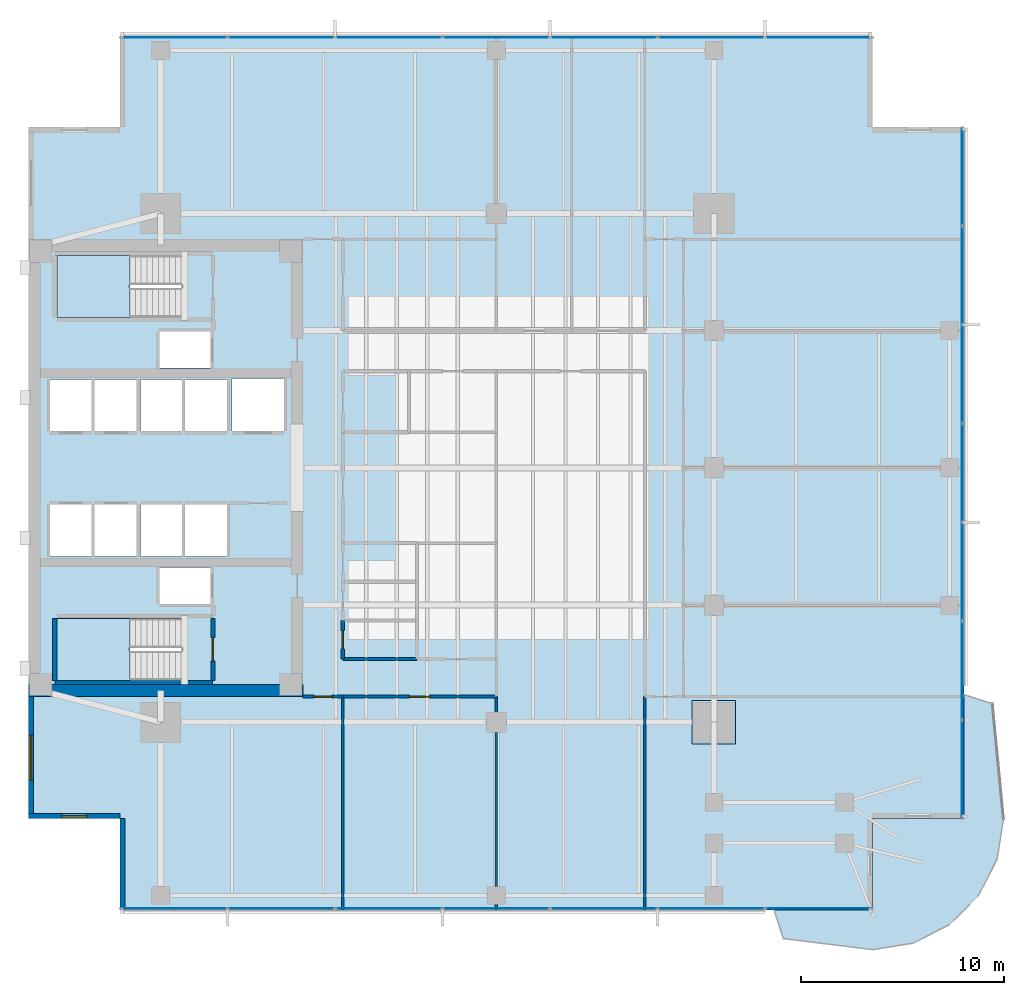
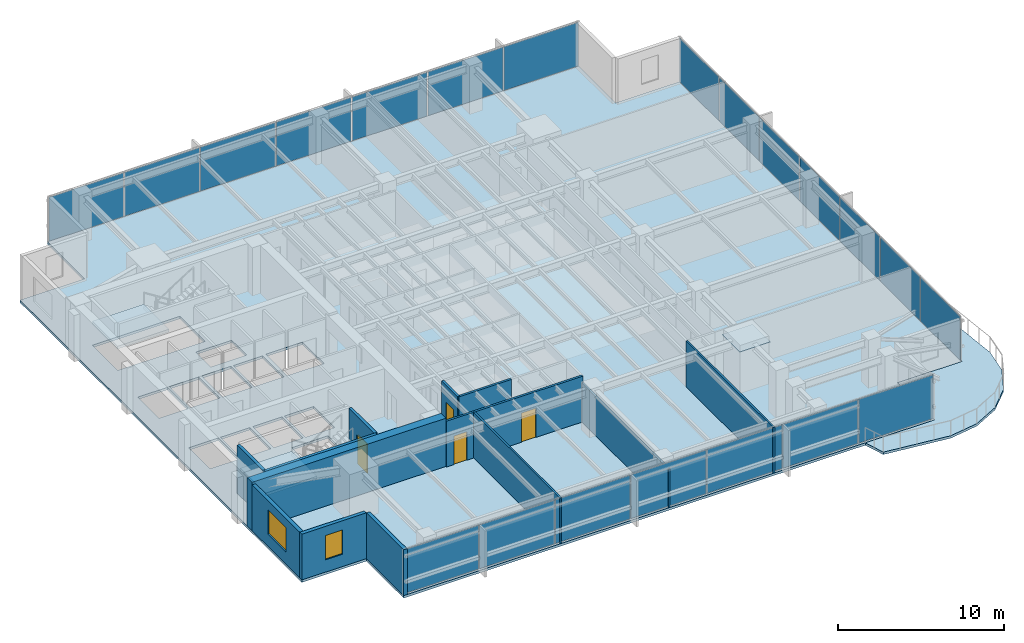
# One storey, part 7 of 14: 22 plates, 14 walls, 4 doors, 4 slabs, 2 windows, 6 openings, 5 elements without a shape of their own.
"""IFC4 building model written with IfcOpenShell, lengths in metres."""

from ifc_helpers import new_model, si_unit, direction, frame, frame_2d, origin, origin_2d, place, context, subcontext, project, spatial, polyline, rectangle, outline, extrude, material, layer, layer_set, type_object, element, fill, aggregate, save


model = new_model("IFC4")

# Units and contexts
model_context = context("Model", 3, precision=1e-05, world=origin(), true_north=direction((0.0, 1.0)))
body_context = subcontext(model_context, "Body", "Model", "MODEL_VIEW")
ifc_project = project(units=[si_unit("LENGTHUNIT", "METRE"), si_unit("AREAUNIT", "SQUARE_METRE"), si_unit("VOLUMEUNIT", "CUBIC_METRE"), si_unit("PLANEANGLEUNIT", "RADIAN"), si_unit("MASSUNIT", "GRAM", prefix="KILO")], contexts=[model_context])

# Site, building, storey
site_placement = place(None, origin())
site = spatial("IfcSite", under=ifc_project, at=site_placement, CompositionType="ELEMENT")
building_placement = place(site_placement, origin())
building = spatial("IfcBuilding", under=site, at=building_placement, Name="Kinhvarn Gate Tower", CompositionType="ELEMENT")
storey_placement = place(building_placement, frame((0.0, 0.0, 151.949951171875)))
storey = spatial("IfcBuildingStorey", under=building, at=storey_placement, Name="L40", CompositionType="ELEMENT", Elevation=151.949951171875)

# Curtain wall, plates
ifc_material_1 = material(Name="Anodised aluminium AW-6063", Category="aluminium")
ifc_layer_1 = layer(ifc_material_1, 0.179931640625)
ifc_layer_set_1 = layer_set([ifc_layer_1], Name="Anodised aluminium AW-6063")
curtain_wall_type = type_object("IfcCurtainWallType", Name="CW-SYS-3", PredefinedType="NOTDEFINED", material=ifc_layer_set_1)
curtain_wall_1_placement = place(storey_placement, origin())
curtain_wall_1 = element("IfcCurtainWall", 1, at=curtain_wall_1_placement, inside=storey, type_object=curtain_wall_type, Name="Curtain Wall CW3 (L40)", PredefinedType="NOTDEFINED")
ifc_material_2 = material(Name="Clear low-e double glazing", Category="glass")
ifc_layer_2 = layer(ifc_material_2, 0.031982421875)
ifc_layer_set_2 = layer_set([ifc_layer_2], Name="Clear low-e double glazing")
plate_type_1 = type_object("IfcPlateType", Name="CW-PNL-VIS", PredefinedType="CURTAIN_PANEL", material=ifc_layer_set_2)
plate_1_placement = place(storey_placement, frame((11.6591796875, 3.590087890625, 0.070068359375), z_axis=(0.0, 0.0, 1.0), x_axis=(1.0, 0.0, 0.0)))
plate_1 = element("IfcPlate", 2, at=plate_1_placement, type_object=plate_type_1, Name="CW3 panel 1.1", PredefinedType="CURTAIN_PANEL", context=body_context, shape_type="SweptSolid", body=[
    extrude(rectangle(XDim=5.188232421875, YDim=0.031982421875, at=origin_2d()), origin(), (0.0, 0.0, 1.0), 3.22998046875),
])
plate_2_placement = place(storey_placement, frame((16.928466796875, 3.590087890625, 0.070068359375), z_axis=(0.0, 0.0, 1.0), x_axis=(1.0, 0.0, 0.0)))
plate_2 = element("IfcPlate", 3, at=plate_2_placement, type_object=plate_type_1, Name="CW3 panel 2.1", PredefinedType="CURTAIN_PANEL", context=body_context, shape_type="SweptSolid", body=[
    extrude(rectangle(XDim=5.220703125, YDim=0.031982421875, at=origin_2d()), origin(), (0.0, 0.0, 1.0), 3.22998046875),
])
plate_3_placement = place(storey_placement, frame((22.21435546875, 3.590087890625, 0.070068359375), z_axis=(0.0, 0.0, 1.0), x_axis=(1.0, 0.0, 0.0)))
plate_3 = element("IfcPlate", 4, at=plate_3_placement, type_object=plate_type_1, Name="CW3 panel 3.1", PredefinedType="CURTAIN_PANEL", context=body_context, shape_type="SweptSolid", body=[
    extrude(rectangle(XDim=5.220703125, YDim=0.031982421875, at=origin_2d()), origin(), (0.0, 0.0, 1.0), 3.22998046875),
])
plate_4_placement = place(storey_placement, frame((27.5, 3.590087890625, 0.070068359375), z_axis=(0.0, 0.0, 1.0), x_axis=(1.0, 0.0, 0.0)))
plate_4 = element("IfcPlate", 5, at=plate_4_placement, type_object=plate_type_1, Name="CW3 panel 4.1", PredefinedType="CURTAIN_PANEL", context=body_context, shape_type="SweptSolid", body=[
    extrude(rectangle(XDim=5.220703125, YDim=0.031982421875, at=origin_2d()), origin(), (0.0, 0.0, 1.0), 3.22998046875),
])
plate_5_placement = place(storey_placement, frame((32.78564453125, 3.590087890625, 0.070068359375), z_axis=(0.0, 0.0, 1.0), x_axis=(1.0, 0.0, 0.0)))
plate_5 = element("IfcPlate", 6, at=plate_5_placement, type_object=plate_type_1, Name="CW3 panel 5.1", PredefinedType="CURTAIN_PANEL", context=body_context, shape_type="SweptSolid", body=[
    extrude(rectangle(XDim=5.220703125, YDim=0.031982421875, at=origin_2d()), origin(), (0.0, 0.0, 1.0), 3.22998046875),
])
plate_6_placement = place(storey_placement, frame((38.071533203125, 3.590087890625, 0.070068359375), z_axis=(0.0, 0.0, 1.0), x_axis=(1.0, 0.0, 0.0)))
plate_6 = element("IfcPlate", 7, at=plate_6_placement, type_object=plate_type_1, Name="CW3 panel 6.1", PredefinedType="CURTAIN_PANEL", context=body_context, shape_type="SweptSolid", body=[
    extrude(rectangle(XDim=5.220703125, YDim=0.031982421875, at=origin_2d()), origin(), (0.0, 0.0, 1.0), 3.22998046875),
])
plate_7_placement = place(storey_placement, frame((43.3408203125, 3.590087890625, 0.070068359375), z_axis=(0.0, 0.0, 1.0), x_axis=(1.0, 0.0, 0.0)))
plate_7 = element("IfcPlate", 8, at=plate_7_placement, type_object=plate_type_1, Name="CW3 panel 7.1", PredefinedType="CURTAIN_PANEL", context=body_context, shape_type="SweptSolid", body=[
    extrude(rectangle(XDim=5.188232421875, YDim=0.031982421875, at=origin_2d()), origin(), (0.0, 0.0, 1.0), 3.22998046875),
])
aggregate(curtain_wall_1, [plate_1, plate_2, plate_3, plate_4, plate_5, plate_6, plate_7])

curtain_wall_2_placement = place(storey_placement, origin())
curtain_wall_2 = element("IfcCurtainWall", 9, at=curtain_wall_2_placement, inside=storey, type_object=curtain_wall_type, Name="Curtain Wall CW3 (L40)", PredefinedType="NOTDEFINED")
plate_8_placement = place(storey_placement, frame((43.3408203125, 46.409912109375, 0.070068359375), z_axis=(0.0, 0.0, 1.0), x_axis=(-1.0, 0.0, 0.0)))
plate_8 = element("IfcPlate", 10, at=plate_8_placement, type_object=plate_type_1, Name="CW3 panel 1.1", PredefinedType="CURTAIN_PANEL", context=body_context, shape_type="SweptSolid", body=[
    extrude(rectangle(XDim=5.188232421875, YDim=0.031982421875, at=origin_2d()), origin(), (0.0, 0.0, 1.0), 3.22998046875),
])
plate_9_placement = place(storey_placement, frame((38.071533203125, 46.409912109375, 0.070068359375), z_axis=(0.0, 0.0, 1.0), x_axis=(-1.0, 0.0, 0.0)))
plate_9 = element("IfcPlate", 11, at=plate_9_placement, type_object=plate_type_1, Name="CW3 panel 2.1", PredefinedType="CURTAIN_PANEL", context=body_context, shape_type="SweptSolid", body=[
    extrude(rectangle(XDim=5.220703125, YDim=0.031982421875, at=origin_2d()), origin(), (0.0, 0.0, 1.0), 3.22998046875),
])
plate_10_placement = place(storey_placement, frame((32.78564453125, 46.409912109375, 0.070068359375), z_axis=(0.0, 0.0, 1.0), x_axis=(-1.0, 0.0, 0.0)))
plate_10 = element("IfcPlate", 12, at=plate_10_placement, type_object=plate_type_1, Name="CW3 panel 3.1", PredefinedType="CURTAIN_PANEL", context=body_context, shape_type="SweptSolid", body=[
    extrude(rectangle(XDim=5.220703125, YDim=0.031982421875, at=origin_2d()), origin(), (0.0, 0.0, 1.0), 3.22998046875),
])
plate_11_placement = place(storey_placement, frame((27.5, 46.409912109375, 0.070068359375), z_axis=(0.0, 0.0, 1.0), x_axis=(-1.0, 0.0, 0.0)))
plate_11 = element("IfcPlate", 13, at=plate_11_placement, type_object=plate_type_1, Name="CW3 panel 4.1", PredefinedType="CURTAIN_PANEL", context=body_context, shape_type="SweptSolid", body=[
    extrude(rectangle(XDim=5.220703125, YDim=0.031982421875, at=origin_2d()), origin(), (0.0, 0.0, 1.0), 3.22998046875),
])
plate_12_placement = place(storey_placement, frame((22.21435546875, 46.409912109375, 0.070068359375), z_axis=(0.0, 0.0, 1.0), x_axis=(-1.0, 0.0, 0.0)))
plate_12 = element("IfcPlate", 14, at=plate_12_placement, type_object=plate_type_1, Name="CW3 panel 5.1", PredefinedType="CURTAIN_PANEL", context=body_context, shape_type="SweptSolid", body=[
    extrude(rectangle(XDim=5.220703125, YDim=0.031982421875, at=origin_2d()), origin(), (0.0, 0.0, 1.0), 3.22998046875),
])
plate_13_placement = place(storey_placement, frame((16.928466796875, 46.409912109375, 0.070068359375), z_axis=(0.0, 0.0, 1.0), x_axis=(-1.0, 0.0, 0.0)))
plate_13 = element("IfcPlate", 15, at=plate_13_placement, type_object=plate_type_1, Name="CW3 panel 6.1", PredefinedType="CURTAIN_PANEL", context=body_context, shape_type="SweptSolid", body=[
    extrude(rectangle(XDim=5.220703125, YDim=0.031982421875, at=origin_2d()), origin(), (0.0, 0.0, 1.0), 3.22998046875),
])
plate_14_placement = place(storey_placement, frame((11.6591796875, 46.409912109375, 0.070068359375), z_axis=(0.0, 0.0, 1.0), x_axis=(-1.0, 0.0, 0.0)))
plate_14 = element("IfcPlate", 16, at=plate_14_placement, type_object=plate_type_1, Name="CW3 panel 7.1", PredefinedType="CURTAIN_PANEL", context=body_context, shape_type="SweptSolid", body=[
    extrude(rectangle(XDim=5.188232421875, YDim=0.031982421875, at=origin_2d()), origin(), (0.0, 0.0, 1.0), 3.22998046875),
])
aggregate(curtain_wall_2, [plate_8, plate_9, plate_10, plate_11, plate_12, plate_13, plate_14])

curtain_wall_3_placement = place(storey_placement, origin())
curtain_wall_3 = element("IfcCurtainWall", 17, at=curtain_wall_3_placement, inside=storey, type_object=curtain_wall_type, Name="Curtain Wall CW3 (L40)", PredefinedType="NOTDEFINED")
plate_15_placement = place(storey_placement, frame((50.409912109375, 10.44482421875, 0.070068359375), z_axis=(0.0, 0.0, 1.0), x_axis=(0.0, 1.0, 0.0)))
plate_15 = element("IfcPlate", 18, at=plate_15_placement, type_object=plate_type_1, Name="CW3 panel 1.1", PredefinedType="CURTAIN_PANEL", context=body_context, shape_type="SweptSolid", body=[
    extrude(rectangle(XDim=4.759521484375, YDim=0.031982421875, at=origin_2d()), origin(), (0.0, 0.0, 1.0), 3.22998046875),
])
plate_16_placement = place(storey_placement, frame((50.409912109375, 15.28564453125, 0.070068359375), z_axis=(0.0, 0.0, 1.0), x_axis=(0.0, 1.0, 0.0)))
plate_16 = element("IfcPlate", 19, at=plate_16_placement, type_object=plate_type_1, Name="CW3 panel 2.1", PredefinedType="CURTAIN_PANEL", context=body_context, shape_type="SweptSolid", body=[
    extrude(rectangle(XDim=4.792236328125, YDim=0.031982421875, at=origin_2d()), origin(), (0.0, 0.0, 1.0), 3.22998046875),
])
plate_17_placement = place(storey_placement, frame((50.409912109375, 20.142822265625, 0.070068359375), z_axis=(0.0, 0.0, 1.0), x_axis=(0.0, 1.0, 0.0)))
plate_17 = element("IfcPlate", 20, at=plate_17_placement, type_object=plate_type_1, Name="CW3 panel 3.1", PredefinedType="CURTAIN_PANEL", context=body_context, shape_type="SweptSolid", body=[
    extrude(rectangle(XDim=4.792236328125, YDim=0.031982421875, at=origin_2d()), origin(), (0.0, 0.0, 1.0), 3.22998046875),
])
plate_18_placement = place(storey_placement, frame((50.409912109375, 25.0, 0.070068359375), z_axis=(0.0, 0.0, 1.0), x_axis=(0.0, 1.0, 0.0)))
plate_18 = element("IfcPlate", 21, at=plate_18_placement, type_object=plate_type_1, Name="CW3 panel 4.1", PredefinedType="CURTAIN_PANEL", context=body_context, shape_type="SweptSolid", body=[
    extrude(rectangle(XDim=4.792236328125, YDim=0.031982421875, at=origin_2d()), origin(), (0.0, 0.0, 1.0), 3.22998046875),
])
plate_19_placement = place(storey_placement, frame((50.409912109375, 29.857177734375, 0.070068359375), z_axis=(0.0, 0.0, 1.0), x_axis=(0.0, 1.0, 0.0)))
plate_19 = element("IfcPlate", 22, at=plate_19_placement, type_object=plate_type_1, Name="CW3 panel 5.1", PredefinedType="CURTAIN_PANEL", context=body_context, shape_type="SweptSolid", body=[
    extrude(rectangle(XDim=4.792236328125, YDim=0.031982421875, at=origin_2d()), origin(), (0.0, 0.0, 1.0), 3.22998046875),
])
plate_20_placement = place(storey_placement, frame((50.409912109375, 34.71435546875, 0.070068359375), z_axis=(0.0, 0.0, 1.0), x_axis=(0.0, 1.0, 0.0)))
plate_20 = element("IfcPlate", 23, at=plate_20_placement, type_object=plate_type_1, Name="CW3 panel 6.1", PredefinedType="CURTAIN_PANEL", context=body_context, shape_type="SweptSolid", body=[
    extrude(rectangle(XDim=4.792236328125, YDim=0.031982421875, at=origin_2d()), origin(), (0.0, 0.0, 1.0), 3.22998046875),
])
plate_21_placement = place(storey_placement, frame((50.409912109375, 39.55517578125, 0.070068359375), z_axis=(0.0, 0.0, 1.0), x_axis=(0.0, 1.0, 0.0)))
plate_21 = element("IfcPlate", 24, at=plate_21_placement, type_object=plate_type_1, Name="CW3 panel 7.1", PredefinedType="CURTAIN_PANEL", context=body_context, shape_type="SweptSolid", body=[
    extrude(rectangle(XDim=4.759521484375, YDim=0.031982421875, at=origin_2d()), origin(), (0.0, 0.0, 1.0), 3.22998046875),
])
aggregate(curtain_wall_3, [plate_15, plate_16, plate_17, plate_18, plate_19, plate_20, plate_21])

# Plate
ifc_material_3 = material(Name="Steel S355", Category="steel")
ifc_layer_3 = layer(ifc_material_3, 0.031982421875)
ifc_layer_set_3 = layer_set([ifc_layer_3], Name="Steel S355")
plate_type_2 = type_object("IfcPlateType", Name="PLT-NODE-KN3", PredefinedType="USERDEFINED", material=ifc_layer_set_3)
plate_22_placement = place(storey_placement, frame((0.0, 0.0, 3.10400390625)))
element("IfcPlate", 25, at=plate_22_placement, inside=storey, type_object=plate_type_2, Name="Structural Node Cap Plate KN3", ObjectType="GUSSET_PLATE", PredefinedType="USERDEFINED", context=body_context, shape_type="SweptSolid", body=[
    extrude(outline(polyline([(37.1298828125, 11.679931640625), (39.27001953125, 11.679931640625), (39.27001953125, 13.820068359375), (37.1298828125, 13.820068359375), (37.1298828125, 11.679931640625)])), origin(), (0.0, 0.0, 1.0), 0.031982421875),
])

# Slabs
ifc_material_4 = material(Name="Precast white architectural concrete C40/50", Category="concrete")
ifc_layer_4 = layer(ifc_material_4, 0.179931640625)
ifc_layer_set_4 = layer_set([ifc_layer_4], Name="Precast white architectural concrete C40/50")
slab_type_1 = type_object("IfcSlabType", Name="SLB-BAL-180", PredefinedType="FLOOR", material=ifc_layer_set_4)
slab_1_placement = place(storey_placement, frame((0.0, 0.0, -0.179931640625)))
element("IfcSlab", 26, at=slab_1_placement, inside=storey, type_object=slab_type_1, Name="S-Carve Curved Terrace Balcony Slab L40 (SE)", PredefinedType="FLOOR", context=body_context, shape_type="SweptSolid", body=[
    extrude(outline(polyline([(41.158935546875, 3.5), (41.60888671875, 2.10546875), (46.0, 1.56298828125), (47.989013671875, 1.8779296875), (49.78369140625, 2.79248046875), (51.20751953125, 4.21630859375), (52.1220703125, 6.010986328125), (52.43701171875, 8.0), (51.89453125, 13.64892578125), (50.5, 14.09912109375), (50.5, 8.0), (46.0, 8.0), (46.0, 3.5), (41.158935546875, 3.5)])), origin(), (0.0, 0.0, 1.0), 0.179931640625),
])
ifc_material_5 = material(Name="Concrete C40/50", Category="concrete")
ifc_layer_5 = layer(ifc_material_5, 0.179931640625)
ifc_layer_set_5 = layer_set([ifc_layer_5], Name="Concrete C40/50")
slab_type_2 = type_object("IfcSlabType", Name="SLB-FLR-180", PredefinedType="FLOOR", material=ifc_layer_set_5)
slab_2_placement = place(storey_placement, frame((0.0, 0.0, -0.179931640625)))
element("IfcSlab", 27, at=slab_2_placement, inside=storey, type_object=slab_type_2, Name="Suspended Floor Slab L40", PredefinedType="FLOOR", context=body_context, shape_type="SweptSolid", body=[
    extrude(outline(polyline([(9.0, 3.5), (46.0, 3.5), (46.0, 8.0), (50.5, 8.0), (50.5, 42.0), (46.0, 42.0), (46.0, 46.5), (9.0, 46.5), (9.0, 42.0), (4.5, 42.0), (4.5, 8.0), (9.0, 8.0), (9.0, 3.5)]), holes=[polyline([(5.89990234375, 14.800048828125), (12.0, 14.800048828125), (12.0, 17.85009765625), (5.89990234375, 17.85009765625), (5.89990234375, 14.800048828125)]), polyline([(5.89990234375, 32.64990234375), (12.0, 32.64990234375), (12.0, 35.699951171875), (5.89990234375, 35.699951171875), (5.89990234375, 32.64990234375)]), polyline([(5.550048828125, 20.89990234375), (7.60009765625, 20.89990234375), (7.60009765625, 23.449951171875), (5.550048828125, 23.449951171875), (5.550048828125, 20.89990234375)]), polyline([(7.75, 20.89990234375), (9.800048828125, 20.89990234375), (9.800048828125, 23.449951171875), (7.75, 23.449951171875), (7.75, 20.89990234375)]), polyline([(5.550048828125, 27.050048828125), (7.60009765625, 27.050048828125), (7.60009765625, 29.60009765625), (5.550048828125, 29.60009765625), (5.550048828125, 27.050048828125)]), polyline([(7.75, 27.050048828125), (9.800048828125, 27.050048828125), (9.800048828125, 29.60009765625), (7.75, 29.60009765625), (7.75, 27.050048828125)]), polyline([(10.0, 20.89990234375), (12.050048828125, 20.89990234375), (12.050048828125, 23.449951171875), (10.0, 23.449951171875), (10.0, 20.89990234375)]), polyline([(12.199951171875, 20.89990234375), (14.25, 20.89990234375), (14.25, 23.449951171875), (12.199951171875, 23.449951171875), (12.199951171875, 20.89990234375)]), polyline([(10.0, 27.050048828125), (12.050048828125, 27.050048828125), (12.050048828125, 29.60009765625), (10.0, 29.60009765625), (10.0, 27.050048828125)]), polyline([(12.199951171875, 27.050048828125), (14.25, 27.050048828125), (14.25, 29.60009765625), (12.199951171875, 29.60009765625), (12.199951171875, 27.050048828125)]), polyline([(14.5, 27.050048828125), (17.050048828125, 27.050048828125), (17.050048828125, 29.64990234375), (14.5, 29.64990234375), (14.5, 27.050048828125)]), polyline([(10.949951171875, 18.550048828125), (13.449951171875, 18.550048828125), (13.449951171875, 20.35009765625), (10.949951171875, 20.35009765625), (10.949951171875, 18.550048828125)]), polyline([(10.949951171875, 30.14990234375), (13.449951171875, 30.14990234375), (13.449951171875, 31.949951171875), (10.949951171875, 31.949951171875), (10.949951171875, 30.14990234375)])]), origin(), (0.0, 0.0, 1.0), 0.179931640625),
])

# Stair, slab
stair_type = type_object("IfcStairType", Name="STR-DLG-178", PredefinedType="HALF_TURN_STAIR", material=ifc_material_5)
stair_1_placement = place(storey_placement, origin())
stair_1 = element("IfcStair", 28, at=stair_1_placement, inside=storey, type_object=stair_type, Name="L40 Core Smokeproof Exit Stair ST1", PredefinedType="HALF_TURN_STAIR")
ifc_layer_6 = layer(ifc_material_5, 0.199951171875)
ifc_layer_set_6 = layer_set([ifc_layer_6], Name="Concrete C40/50")
slab_type_3 = type_object("IfcSlabType", Name="SLB-ST-LND", PredefinedType="LANDING", material=ifc_layer_set_6)
slab_3_placement = place(storey_placement, frame((0.0, 0.0, 1.574951171875)))
slab_3 = element("IfcSlab", 29, at=slab_3_placement, type_object=slab_type_3, Name="ST1 landing 1", PredefinedType="LANDING", context=body_context, shape_type="SweptSolid", body=[
    extrude(outline(polyline([(9.47998046875, 17.85009765625), (5.89990234375, 17.85009765625), (5.89990234375, 14.800048828125), (9.47998046875, 14.800048828125), (9.47998046875, 17.85009765625)])), origin(), (0.0, 0.0, 1.0), 0.2001953125),
])
aggregate(stair_1, [slab_3])

stair_2_placement = place(storey_placement, origin())
stair_2 = element("IfcStair", 30, at=stair_2_placement, inside=storey, type_object=stair_type, Name="L40 Core Smokeproof Exit Stair ST2", PredefinedType="HALF_TURN_STAIR")
slab_4_placement = place(storey_placement, frame((0.0, 0.0, 1.574951171875)))
slab_4 = element("IfcSlab", 31, at=slab_4_placement, type_object=slab_type_3, Name="ST2 landing 1", PredefinedType="LANDING", context=body_context, shape_type="SweptSolid", body=[
    extrude(outline(polyline([(9.47998046875, 35.699951171875), (5.89990234375, 35.699951171875), (5.89990234375, 32.64990234375), (9.47998046875, 32.64990234375), (9.47998046875, 35.699951171875)])), origin(), (0.0, 0.0, 1.0), 0.2001953125),
])
aggregate(stair_2, [slab_4])

# Wall
ifc_material_6 = material(Name="Concrete C60/75", Category="concrete")
ifc_layer_7 = layer(ifc_material_6, 0.60009765625)
ifc_layer_set_7 = layer_set([ifc_layer_7], Name="Concrete C60/75")
wall_type_1 = type_object("IfcWallType", Name="WL-CORE-600", PredefinedType="SHEAR", material=ifc_layer_set_7)
wall_1_placement = place(storey_placement, frame((4.5, 14.300048828125, 0.0), z_axis=(0.0, 0.0, 1.0), x_axis=(1.0, 0.0, 0.0)))
element("IfcWall", 32, at=wall_1_placement, inside=storey, type_object=wall_type_1, Name="Core South Shear Wall L40 600 mm", PredefinedType="SHEAR", context=body_context, shape_type="SweptSolid", body=[
    extrude(rectangle(XDim=13.5, YDim=0.60009765625, at=frame_2d((6.75, 0.0))), origin(), (0.0, 0.0, 1.0), 3.550048828125),
])

# Wall, opening, window
ifc_material_7 = material(Name="Fired architectural terracotta", Category="masonry")
ifc_layer_8 = layer(ifc_material_7, 0.25)
ifc_layer_set_8 = layer_set([ifc_layer_8], Name="Fired architectural terracotta")
wall_type_2 = type_object("IfcWallType", Name="WL-EXT-250", PredefinedType="SOLIDWALL", material=ifc_layer_set_8)
wall_2_placement = place(storey_placement, frame((4.625, 14.0, 0.0), z_axis=(0.0, 0.0, 1.0), x_axis=(0.0, -1.0, 0.0)))
wall_2 = element("IfcWall", 33, at=wall_2_placement, inside=storey, type_object=wall_type_2, Name="Exterior Solidwall Wall EW-250 (L40 West-South)", PredefinedType="SOLIDWALL", context=body_context, shape_type="SweptSolid", body=[
    extrude(rectangle(XDim=6.0, YDim=0.25, at=frame_2d((3.0, 0.0))), origin(), (0.0, 0.0, 1.0), 3.3701171875),
])
opening_1_placement = place(wall_2_placement, frame((1.89990234375, 0.0, 0.89990234375)))
opening_1 = element("IfcOpeningElement", 34, at=opening_1_placement, cuts=wall_2, Name="Opening WN-01", PredefinedType="OPENING", context=body_context, shape_type="SweptSolid", body=[
    extrude(rectangle(XDim=2.199951171875, YDim=1.800048828125, at=frame_2d((1.10009765625, 0.89990234375))), frame((0.0, 0.135009765625, 0.0), z_axis=(0.0, -1.0, 0.0), x_axis=(1.0, 0.0, 0.0)), (0.0, 0.0, 1.0), 0.27001953125),
])
window_type_1 = type_object("IfcWindowType", Name="WIN-RIB-2200", PartitioningType="SINGLE_PANEL", PredefinedType="WINDOW", material=ifc_material_2)
window_1_placement = place(opening_1_placement, origin())
window_1 = element("IfcWindow", 35, at=window_1_placement, inside=storey, type_object=window_type_1, Name="West Flank Double-Glazed Ribbon Window 2200x1800 mm (L40)", OverallHeight=1.800048828125, OverallWidth=2.199951171875, PartitioningType="SINGLE_PANEL", PredefinedType="WINDOW", context=body_context, shape_type="SweptSolid", body=[
    extrude(rectangle(XDim=2.199951171875, YDim=1.800048828125, at=frame_2d((1.10009765625, 0.89990234375))), frame((0.0, 0.030029296875, 0.0), z_axis=(0.0, -1.0, 0.0), x_axis=(1.0, 0.0, 0.0)), (0.0, 0.0, 1.0), 0.06005859375),
])
fill(opening_1, window_1)

wall_3_placement = place(storey_placement, frame((4.5, 8.125, 0.0), z_axis=(0.0, 0.0, 1.0), x_axis=(1.0, 0.0, 0.0)))
wall_3 = element("IfcWall", 36, at=wall_3_placement, inside=storey, type_object=wall_type_2, Name="Exterior Solidwall Wall EW-250 (L40 SW-Notch-1)", PredefinedType="SOLIDWALL", context=body_context, shape_type="SweptSolid", body=[
    extrude(rectangle(XDim=4.5, YDim=0.25, at=frame_2d((2.25, 0.0))), origin(), (0.0, 0.0, 1.0), 3.3701171875),
])
opening_2_placement = place(wall_3_placement, frame((1.64990234375, 0.0, 0.89990234375)))
opening_2 = element("IfcOpeningElement", 37, at=opening_2_placement, cuts=wall_3, Name="Opening WN-02", PredefinedType="OPENING", context=body_context, shape_type="SweptSolid", body=[
    extrude(rectangle(XDim=1.199951171875, YDim=1.800048828125, at=frame_2d((0.60009765625, 0.89990234375))), frame((0.0, 0.135009765625, 0.0), z_axis=(0.0, -1.0, 0.0), x_axis=(1.0, 0.0, 0.0)), (0.0, 0.0, 1.0), 0.27001953125),
])
window_type_2 = type_object("IfcWindowType", Name="WIN-NTC-1200", PartitioningType="SINGLE_PANEL", PredefinedType="WINDOW", material=ifc_material_2)
window_2_placement = place(opening_2_placement, origin())
window_2 = element("IfcWindow", 38, at=window_2_placement, inside=storey, type_object=window_type_2, Name="Recessed Corner Notch Punched Window 1200x1800 mm (L40)", OverallHeight=1.800048828125, OverallWidth=1.199951171875, PartitioningType="SINGLE_PANEL", PredefinedType="WINDOW", context=body_context, shape_type="SweptSolid", body=[
    extrude(rectangle(XDim=1.199951171875, YDim=1.800048828125, at=frame_2d((0.60009765625, 0.89990234375))), frame((0.0, 0.030029296875, 0.0), z_axis=(0.0, -1.0, 0.0), x_axis=(1.0, 0.0, 0.0)), (0.0, 0.0, 1.0), 0.06005859375),
])
fill(opening_2, window_2)

# Wall
wall_4_placement = place(storey_placement, frame((9.125, 8.0, 0.0), z_axis=(0.0, 0.0, 1.0), x_axis=(0.0, -1.0, 0.0)))
element("IfcWall", 39, at=wall_4_placement, inside=storey, type_object=wall_type_2, Name="Exterior Solidwall Wall EW-250 (L40 SW-Notch-2)", PredefinedType="SOLIDWALL", context=body_context, shape_type="SweptSolid", body=[
    extrude(rectangle(XDim=4.5, YDim=0.25, at=frame_2d((2.25, 0.0))), origin(), (0.0, 0.0, 1.0), 3.3701171875),
])

# Wall, opening, door
ifc_material_8 = material(Name="Gypsum acoustic partition board")
ifc_layer_9 = layer(ifc_material_8, 0.14990234375)
ifc_layer_set_9 = layer_set([ifc_layer_9], Name="Gypsum acoustic partition board")
wall_type_3 = type_object("IfcWallType", Name="WL-PLM-150F", PredefinedType="PLUMBINGWALL", material=ifc_layer_set_9)
wall_5_placement = place(storey_placement, frame((19.949951171875, 15.85009765625, 0.0), z_axis=(0.0, 0.0, 1.0), x_axis=(0.0, 1.0, 0.0)))
wall_5 = element("IfcWall", 40, at=wall_5_placement, inside=storey, type_object=wall_type_3, Name="Interior Partition PLW-150F (L40)", PredefinedType="PLUMBINGWALL", context=body_context, shape_type="SweptSolid", body=[
    extrude(rectangle(XDim=1.89990234375, YDim=0.14990234375, at=frame_2d((0.949951171875, 0.0))), origin(), (0.0, 0.0, 1.0), 3.3701171875),
])
opening_3_placement = place(wall_5_placement, frame((0.5, 0.0, 0.0)))
opening_3 = element("IfcOpeningElement", 41, at=opening_3_placement, cuts=wall_5, Name="Opening FD-04", PredefinedType="OPENING", context=body_context, shape_type="SweptSolid", body=[
    extrude(rectangle(XDim=0.89990234375, YDim=2.10009765625, at=frame_2d((0.449951171875, 1.050048828125))), frame((0.0, 0.0849609375, 0.0), z_axis=(0.0, -1.0, 0.0), x_axis=(1.0, 0.0, 0.0)), (0.0, 0.0, 1.0), 0.169921875),
])
door_type_1 = type_object("IfcDoorType", Name="DR-FD-900", OperationType="NOTDEFINED", PredefinedType="DOOR", material=ifc_material_1)
door_1_placement = place(opening_3_placement, origin())
door_1 = element("IfcDoor", 42, at=door_1_placement, inside=storey, type_object=door_type_1, Name="Rated Riser & Service Closet Fire Door 900x2100 mm (L40)", OperationType="SINGLE_SWING_LEFT", OverallHeight=2.10009765625, OverallWidth=0.89990234375, PredefinedType="DOOR", context=body_context, shape_type="SweptSolid", body=[
    extrude(rectangle(XDim=0.89990234375, YDim=2.10009765625, at=frame_2d((0.449951171875, 1.050048828125))), frame((0.0, 0.02490234375, 0.0), z_axis=(0.0, -1.0, 0.0), x_axis=(1.0, 0.0, 0.0)), (0.0, 0.0, 1.0), 0.050048828125),
])
fill(opening_3, door_1)

# Walls
wall_6_placement = place(storey_placement, frame((19.949951171875, 15.85009765625, 0.0), z_axis=(0.0, 0.0, 1.0), x_axis=(1.0, 0.0, 0.0)))
element("IfcWall", 43, at=wall_6_placement, inside=storey, type_object=wall_type_3, Name="Interior Partition PLW-150F (L40)", PredefinedType="PLUMBINGWALL", context=body_context, shape_type="SweptSolid", body=[
    extrude(rectangle(XDim=3.650146484375, YDim=0.14990234375, at=frame_2d((1.8251953125, 0.0))), origin(), (0.0, 0.0, 1.0), 3.3701171875),
])
ifc_layer_10 = layer(ifc_material_8, 0.1201171875)
ifc_layer_set_10 = layer_set([ifc_layer_10], Name="Gypsum acoustic partition board")
wall_type_4 = type_object("IfcWallType", Name="WL-PRT-120", PredefinedType="PARTITIONING", material=ifc_layer_set_10)
wall_7_placement = place(storey_placement, frame((19.949951171875, 3.510009765625, 0.0), z_axis=(0.0, 0.0, 1.0), x_axis=(0.0, 1.0, 0.0)))
element("IfcWall", 44, at=wall_7_placement, inside=storey, type_object=wall_type_4, Name="Interior Partition PW-120 (L40)", PredefinedType="PARTITIONING", context=body_context, shape_type="SweptSolid", body=[
    extrude(rectangle(XDim=10.489990234375, YDim=0.1201171875, at=frame_2d((5.2451171875, 0.0))), origin(), (0.0, 0.0, 1.0), 3.3701171875),
])
wall_8_placement = place(storey_placement, frame((27.5, 3.510009765625, 0.0), z_axis=(0.0, 0.0, 1.0), x_axis=(0.0, 1.0, 0.0)))
element("IfcWall", 45, at=wall_8_placement, inside=storey, type_object=wall_type_4, Name="Interior Partition PW-120 (L40)", PredefinedType="PARTITIONING", context=body_context, shape_type="SweptSolid", body=[
    extrude(rectangle(XDim=10.489990234375, YDim=0.1201171875, at=frame_2d((5.2451171875, 0.0))), origin(), (0.0, 0.0, 1.0), 2.8701171875),
])
wall_9_placement = place(storey_placement, frame((34.800048828125, 3.510009765625, 0.0), z_axis=(0.0, 0.0, 1.0), x_axis=(0.0, 1.0, 0.0)))
element("IfcWall", 46, at=wall_9_placement, inside=storey, type_object=wall_type_4, Name="Interior Partition PW-120 (L40)", PredefinedType="PARTITIONING", context=body_context, shape_type="SweptSolid", body=[
    extrude(rectangle(XDim=10.489990234375, YDim=0.1201171875, at=frame_2d((5.2451171875, 0.0))), origin(), (0.0, 0.0, 1.0), 3.3701171875),
])

# Wall, opening, door
ifc_layer_11 = layer(ifc_material_8, 0.14990234375)
ifc_layer_set_11 = layer_set([ifc_layer_11], Name="Gypsum acoustic partition board")
wall_type_5 = type_object("IfcWallType", Name="WL-PRT-150F", PredefinedType="PARTITIONING", material=ifc_layer_set_11)
wall_10_placement = place(storey_placement, frame((18.0, 14.0, 0.0), z_axis=(0.0, 0.0, 1.0), x_axis=(1.0, 0.0, 0.0)))
wall_10 = element("IfcWall", 47, at=wall_10_placement, inside=storey, type_object=wall_type_5, Name="Interior Partition PW-150F (L40)", PredefinedType="PARTITIONING", context=body_context, shape_type="SweptSolid", body=[
    extrude(rectangle(XDim=1.949951171875, YDim=0.14990234375, at=frame_2d((0.97509765625, 0.0))), origin(), (0.0, 0.0, 1.0), 3.3701171875),
])
opening_4_placement = place(wall_10_placement, frame((0.52490234375, 0.0, 0.0)))
opening_4 = element("IfcOpeningElement", 48, at=opening_4_placement, cuts=wall_10, Name="Opening ID-03", PredefinedType="OPENING", context=body_context, shape_type="SweptSolid", body=[
    extrude(rectangle(XDim=0.89990234375, YDim=2.10009765625, at=frame_2d((0.449951171875, 1.050048828125))), frame((0.0, 0.0849609375, 0.0), z_axis=(0.0, -1.0, 0.0), x_axis=(1.0, 0.0, 0.0)), (0.0, 0.0, 1.0), 0.169921875),
])
door_type_2 = type_object("IfcDoorType", Name="DR-INT-900", OperationType="NOTDEFINED", PredefinedType="DOOR", material=ifc_material_1)
door_2_placement = place(opening_4_placement, origin())
door_2 = element("IfcDoor", 49, at=door_2_placement, inside=storey, type_object=door_type_2, Name="Cellular Office & Restroom Door 900x2100 mm (L40)", OperationType="SINGLE_SWING_LEFT", OverallHeight=2.10009765625, OverallWidth=0.89990234375, PredefinedType="DOOR", context=body_context, shape_type="SweptSolid", body=[
    extrude(rectangle(XDim=0.89990234375, YDim=2.10009765625, at=frame_2d((0.449951171875, 1.050048828125))), frame((0.0, 0.02490234375, 0.0), z_axis=(0.0, -1.0, 0.0), x_axis=(1.0, 0.0, 0.0)), (0.0, 0.0, 1.0), 0.050048828125),
])
fill(opening_4, door_2)

wall_11_placement = place(storey_placement, frame((19.949951171875, 14.0, 0.0), z_axis=(0.0, 0.0, 1.0), x_axis=(1.0, 0.0, 0.0)))
wall_11 = element("IfcWall", 50, at=wall_11_placement, inside=storey, type_object=wall_type_5, Name="Interior Partition PW-150F (L40)", PredefinedType="PARTITIONING", context=body_context, shape_type="SweptSolid", body=[
    extrude(rectangle(XDim=7.550048828125, YDim=0.14990234375, at=frame_2d((3.77490234375, 0.0))), origin(), (0.0, 0.0, 1.0), 3.3701171875),
])
opening_5_placement = place(wall_11_placement, frame((3.27490234375, 0.0, 0.0)))
opening_5 = element("IfcOpeningElement", 51, at=opening_5_placement, cuts=wall_11, Name="Opening ID-02", PredefinedType="OPENING", context=body_context, shape_type="SweptSolid", body=[
    extrude(rectangle(XDim=1.0, YDim=2.14990234375, at=frame_2d((0.5, 1.074951171875))), frame((0.0, 0.0849609375, 0.0), z_axis=(0.0, -1.0, 0.0), x_axis=(1.0, 0.0, 0.0)), (0.0, 0.0, 1.0), 0.169921875),
])
door_type_3 = type_object("IfcDoorType", Name="DR-INT-1000", OperationType="NOTDEFINED", PredefinedType="DOOR", material=ifc_material_1)
door_3_placement = place(opening_5_placement, origin())
door_3 = element("IfcDoor", 52, at=door_3_placement, inside=storey, type_object=door_type_3, Name="Standard Office & Meeting Room Door 1000x2150 mm (L40)", OperationType="SINGLE_SWING_RIGHT", OverallHeight=2.14990234375, OverallWidth=1.0, PredefinedType="DOOR", context=body_context, shape_type="SweptSolid", body=[
    extrude(rectangle(XDim=1.0, YDim=2.14990234375, at=frame_2d((0.5, 1.074951171875))), frame((0.0, 0.02490234375, 0.0), z_axis=(0.0, -1.0, 0.0), x_axis=(1.0, 0.0, 0.0)), (0.0, 0.0, 1.0), 0.050048828125),
])
fill(opening_5, door_3)

# Walls
ifc_layer_12 = layer(ifc_material_5, 0.199951171875)
ifc_layer_set_12 = layer_set([ifc_layer_12], Name="Concrete C40/50")
wall_type_6 = type_object("IfcWallType", Name="WL-SHF-200", PredefinedType="SOLIDWALL", material=ifc_layer_set_12)
wall_12_placement = place(storey_placement, frame((5.800048828125, 14.699951171875, 0.0), z_axis=(0.0, 0.0, 1.0), x_axis=(1.0, 0.0, 0.0)))
element("IfcWall", 53, at=wall_12_placement, inside=storey, type_object=wall_type_6, Name="Stair ST1 South Shaft Wall (L40)", PredefinedType="SOLIDWALL", context=body_context, shape_type="SweptSolid", body=[
    extrude(rectangle(XDim=7.75, YDim=0.199951171875, at=frame_2d((3.875, 0.0))), origin(), (0.0, 0.0, 1.0), 3.550048828125),
])
wall_13_placement = place(storey_placement, frame((5.7900390625, 14.800048828125, 0.0), z_axis=(0.0, 0.0, 1.0), x_axis=(0.0, 1.0, 0.0)))
element("IfcWall", 54, at=wall_13_placement, inside=storey, type_object=wall_type_6, Name="Stair ST1 West Shaft Wall (L40)", PredefinedType="SOLIDWALL", context=body_context, shape_type="SweptSolid", body=[
    extrude(rectangle(XDim=3.050048828125, YDim=0.199951171875, at=frame_2d((1.52490234375, 0.0))), origin(), (0.0, 0.0, 1.0), 3.550048828125),
])

# Wall, opening, door
wall_14_placement = place(storey_placement, frame((13.56005859375, 14.800048828125, 0.0), z_axis=(0.0, 0.0, 1.0), x_axis=(0.0, 1.0, 0.0)))
wall_14 = element("IfcWall", 55, at=wall_14_placement, inside=storey, type_object=wall_type_6, Name="Stair ST1 East Entry Wall (L40)", PredefinedType="SOLIDWALL", context=body_context, shape_type="SweptSolid", body=[
    extrude(rectangle(XDim=3.050048828125, YDim=0.199951171875, at=frame_2d((1.52490234375, 0.0))), origin(), (0.0, 0.0, 1.0), 3.550048828125),
])
opening_6_placement = place(wall_14_placement, frame((0.949951171875, 0.0, 0.0)))
opening_6 = element("IfcOpeningElement", 56, at=opening_6_placement, cuts=wall_14, Name="Opening FD-01", PredefinedType="OPENING", context=body_context, shape_type="SweptSolid", body=[
    extrude(rectangle(XDim=1.14990234375, YDim=2.14990234375, at=frame_2d((0.574951171875, 1.074951171875))), frame((0.0, 0.10986328125, 0.0), z_axis=(0.0, -1.0, 0.0), x_axis=(1.0, 0.0, 0.0)), (0.0, 0.0, 1.0), 0.219970703125),
])
door_type_4 = type_object("IfcDoorType", Name="DR-ST-1150", OperationType="NOTDEFINED", PredefinedType="DOOR", material=ifc_material_1)
door_4_placement = place(opening_6_placement, origin())
door_4 = element("IfcDoor", 57, at=door_4_placement, inside=storey, type_object=door_type_4, Name="Exit Stair ST1 Fire Door (L40)", OperationType="SINGLE_SWING_RIGHT", OverallHeight=2.14990234375, OverallWidth=1.14990234375, PredefinedType="DOOR", context=body_context, shape_type="SweptSolid", body=[
    extrude(rectangle(XDim=1.14990234375, YDim=2.14990234375, at=frame_2d((0.574951171875, 1.074951171875))), frame((0.0, 0.02490234375, 0.0), z_axis=(0.0, -1.0, 0.0), x_axis=(1.0, 0.0, 0.0)), (0.0, 0.0, 1.0), 0.050048828125),
])
fill(opening_6, door_4)

save(model, "model.ifc")
